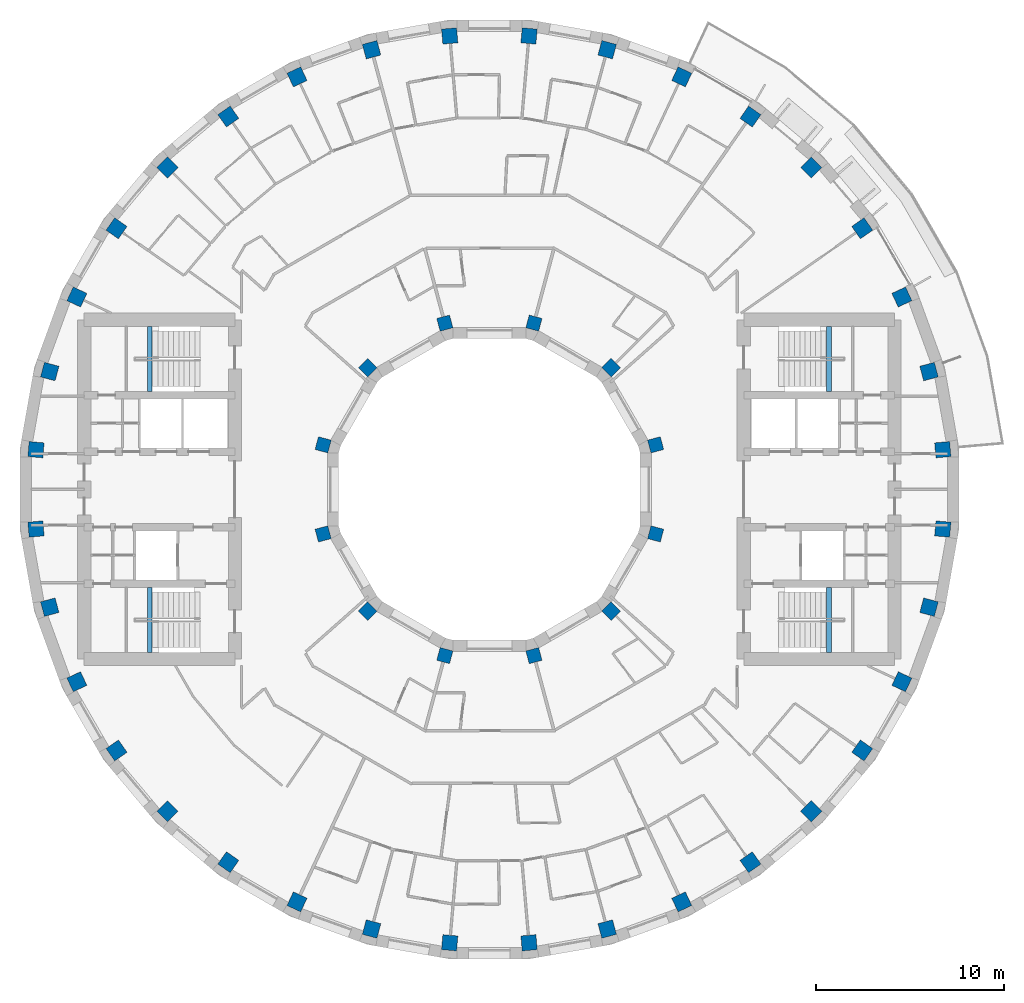
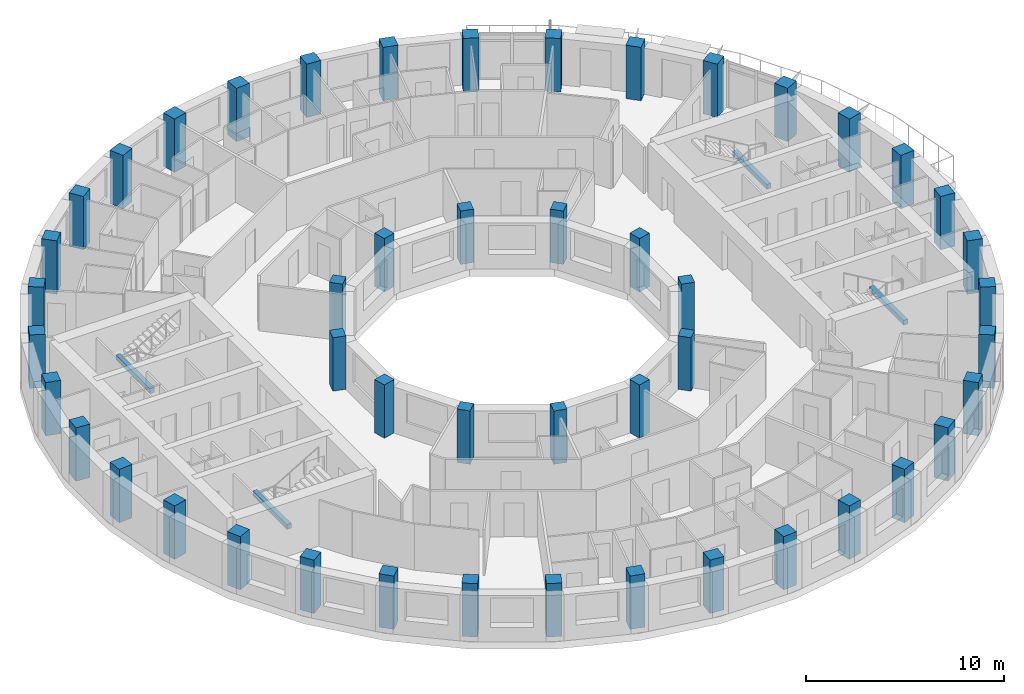
# One storey, part 1 of 15: 48 columns, 4 beams.
"""IFC4 building model written with IfcOpenShell, lengths in metres."""

from ifc_helpers import new_model, si_unit, direction, frame, origin, origin_2d, place, context, subcontext, project, spatial, rectangle, extrude, material, material_profile, profile_set, type_object, element, save


model = new_model("IFC4")

# Units and contexts
model_context = context("Model", 3, precision=1e-05, world=origin(), true_north=direction((0.0, 1.0)))
body_context = subcontext(model_context, "Body", "Model", "MODEL_VIEW")
ifc_project = project(units=[si_unit("LENGTHUNIT", "METRE"), si_unit("AREAUNIT", "SQUARE_METRE"), si_unit("VOLUMEUNIT", "CUBIC_METRE"), si_unit("PLANEANGLEUNIT", "RADIAN"), si_unit("MASSUNIT", "GRAM", prefix="KILO")], contexts=[model_context])

# Site, building, storey
site_placement = place(None, origin())
site = spatial("IfcSite", under=ifc_project, at=site_placement, CompositionType="ELEMENT")
building_placement = place(site_placement, origin())
building = spatial("IfcBuilding", under=site, at=building_placement, Name="Saqina Gate Tower", CompositionType="ELEMENT")
storey_placement = place(building_placement, frame((0.0, 0.0, 193.800048828125)))
storey = spatial("IfcBuildingStorey", under=building, at=storey_placement, Name="L55", CompositionType="ELEMENT", Elevation=193.800048828125)

# Columns
ifc_material_1 = material(Name="Concrete C60/75", Category="concrete")
ifc_material_profile_1 = material_profile(ifc_material_1, rectangle(XDim=0.699951171875, YDim=0.699951171875, at=origin_2d()), Name="RC 700x700")
ifc_profile_set_1 = profile_set([ifc_material_profile_1], Name="Concrete C60/75")
column_type_1 = type_object("IfcColumnType", Name="STR-COL-IN-C", PredefinedType="COLUMN", material=ifc_profile_set_1)
for number, where, z_axis, x_axis, name in (
    (1, (8.821044921875, 2.363525390625, 0.0), (0.0, 0.0, 1.0), (0.965925826289, 0.258819045103, 0.0), "L55-ICL01"),
    (2, (6.45751953125, 6.45751953125, 0.0), (0.0, 0.0, 1.0), (0.707106781187, 0.707106781187, 0.0), "L55-ICL02"),
    (3, (2.363525390625, 8.821044921875, 0.0), (0.0, 0.0, 1.0), (0.258819045103, 0.965925826289, 0.0), "L55-ICL03"),
    (4, (-2.363525390625, 8.821044921875, 0.0), (0.0, 0.0, 1.0), (-0.258819045103, 0.965925826289, 0.0), "L55-ICL04"),
    (5, (-6.45751953125, 6.45751953125, 0.0), (0.0, 0.0, 1.0), (-0.707106781187, 0.707106781187, 0.0), "L55-ICL05"),
    (6, (-8.821044921875, 2.363525390625, 0.0), (0.0, 0.0, 1.0), (-0.965925826289, 0.258819045103, 0.0), "L55-ICL06"),
    (7, (-8.821044921875, -2.363525390625, 0.0), (0.0, 0.0, 1.0), (-0.965925826289, -0.258819045103, 0.0), "L55-ICL07"),
    (8, (-6.45751953125, -6.45751953125, 0.0), (0.0, 0.0, 1.0), (-0.707106781187, -0.707106781187, 0.0), "L55-ICL08"),
    (9, (-2.363525390625, -8.821044921875, 0.0), (0.0, 0.0, 1.0), (-0.258819045103, -0.965925826289, 0.0), "L55-ICL09"),
    (10, (2.363525390625, -8.821044921875, 0.0), (0.0, 0.0, 1.0), (0.258819045103, -0.965925826289, 0.0), "L55-ICL10"),
    (11, (6.45751953125, -6.45751953125, 0.0), (0.0, 0.0, 1.0), (0.707106781187, -0.707106781187, 0.0), "L55-ICL11"),
    (12, (8.821044921875, -2.363525390625, 0.0), (0.0, 0.0, 1.0), (0.965925826289, -0.258819045103, 0.0), "L55-ICL12"),
):
    element("IfcColumn", number, at=place(storey_placement, frame(where, z_axis=z_axis, x_axis=x_axis)), inside=storey, type_object=column_type_1, Name=name, PredefinedType="COLUMN", context=body_context, shape_type="SweptSolid", body=[
        extrude(rectangle(XDim=0.699951171875, YDim=0.699951171875, at=origin_2d()), origin(), (0.0, 0.0, 1.0), 3.300048828125),
    ])
ifc_material_2 = material(Name="Concrete C60/75", Category="concrete")
ifc_material_profile_2 = material_profile(ifc_material_2, rectangle(XDim=0.800048828125, YDim=0.800048828125, at=origin_2d()), Name="RC 800x800")
ifc_profile_set_2 = profile_set([ifc_material_profile_2], Name="Concrete C60/75")
column_type_2 = type_object("IfcColumnType", Name="STR-COL-OUT-C", PredefinedType="COLUMN", material=ifc_profile_set_2)
for number, where, z_axis, x_axis, name in (
    (13, (24.05810546875, 2.104736328125, 0.0), (0.0, 0.0, 1.0), (0.996194698092, 0.087155742748, 0.0), "L55-COL01"),
    (14, (23.3271484375, 6.25048828125, 0.0), (0.0, 0.0, 1.0), (0.965925826289, 0.258819045103, 0.0), "L55-COL02"),
    (15, (21.887451171875, 10.206298828125, 0.0), (0.0, 0.0, 1.0), (0.906307787037, 0.422618261741, 0.0), "L55-COL03"),
    (16, (19.782470703125, 13.851806640625, 0.0), (0.0, 0.0, 1.0), (0.819152044289, 0.573576436351, 0.0), "L55-COL04"),
    (17, (17.07666015625, 17.07666015625, 0.0), (0.0, 0.0, 1.0), (0.707106781187, 0.707106781187, 0.0), "L55-COL05"),
    (18, (13.851806640625, 19.782470703125, 0.0), (0.0, 0.0, 1.0), (0.573576436351, 0.819152044289, 0.0), "L55-COL06"),
    (19, (10.206298828125, 21.887451171875, 0.0), (0.0, 0.0, 1.0), (0.422618261741, 0.906307787037, 0.0), "L55-COL07"),
    (20, (6.25048828125, 23.3271484375, 0.0), (0.0, 0.0, 1.0), (0.258819045103, 0.965925826289, 0.0), "L55-COL08"),
    (21, (2.104736328125, 24.05810546875, 0.0), (0.0, 0.0, 1.0), (0.087155742748, 0.996194698092, 0.0), "L55-COL09"),
    (22, (-2.104736328125, 24.05810546875, 0.0), (0.0, 0.0, 1.0), (-0.087155742748, 0.996194698092, 0.0), "L55-COL10"),
    (23, (-6.25048828125, 23.3271484375, 0.0), (0.0, 0.0, 1.0), (-0.258819045103, 0.965925826289, 0.0), "L55-COL11"),
    (24, (-10.206298828125, 21.887451171875, 0.0), (0.0, 0.0, 1.0), (-0.422618261741, 0.906307787037, 0.0), "L55-COL12"),
    (25, (-13.851806640625, 19.782470703125, 0.0), (0.0, 0.0, 1.0), (-0.573576436351, 0.819152044289, 0.0), "L55-COL13"),
    (26, (-17.07666015625, 17.07666015625, 0.0), (0.0, 0.0, 1.0), (-0.707106781187, 0.707106781187, 0.0), "L55-COL14"),
    (27, (-19.782470703125, 13.851806640625, 0.0), (0.0, 0.0, 1.0), (-0.819152044289, 0.573576436351, 0.0), "L55-COL15"),
    (28, (-21.887451171875, 10.206298828125, 0.0), (0.0, 0.0, 1.0), (-0.906307787037, 0.422618261741, 0.0), "L55-COL16"),
    (29, (-23.3271484375, 6.25048828125, 0.0), (0.0, 0.0, 1.0), (-0.965925826289, 0.258819045103, 0.0), "L55-COL17"),
    (30, (-24.05810546875, 2.104736328125, 0.0), (0.0, 0.0, 1.0), (-0.996194698092, 0.087155742748, 0.0), "L55-COL18"),
    (31, (-24.05810546875, -2.104736328125, 0.0), (0.0, 0.0, 1.0), (-0.996194698092, -0.087155742748, 0.0), "L55-COL19"),
    (32, (-23.3271484375, -6.25048828125, 0.0), (0.0, 0.0, 1.0), (-0.965925826289, -0.258819045103, 0.0), "L55-COL20"),
    (33, (-21.887451171875, -10.206298828125, 0.0), (0.0, 0.0, 1.0), (-0.906307787037, -0.422618261741, 0.0), "L55-COL21"),
    (34, (-19.782470703125, -13.851806640625, 0.0), (0.0, 0.0, 1.0), (-0.819152044289, -0.573576436351, 0.0), "L55-COL22"),
    (35, (-17.07666015625, -17.07666015625, 0.0), (0.0, 0.0, 1.0), (-0.707106781187, -0.707106781187, 0.0), "L55-COL23"),
    (36, (-13.851806640625, -19.782470703125, 0.0), (0.0, 0.0, 1.0), (-0.573576436351, -0.819152044289, 0.0), "L55-COL24"),
    (37, (-10.206298828125, -21.887451171875, 0.0), (0.0, 0.0, 1.0), (-0.422618261741, -0.906307787037, 0.0), "L55-COL25"),
    (38, (-6.25048828125, -23.3271484375, 0.0), (0.0, 0.0, 1.0), (-0.258819045103, -0.965925826289, 0.0), "L55-COL26"),
    (39, (-2.104736328125, -24.05810546875, 0.0), (0.0, 0.0, 1.0), (-0.087155742748, -0.996194698092, 0.0), "L55-COL27"),
    (40, (2.104736328125, -24.05810546875, 0.0), (0.0, 0.0, 1.0), (0.087155742748, -0.996194698092, 0.0), "L55-COL28"),
    (41, (6.25048828125, -23.3271484375, 0.0), (0.0, 0.0, 1.0), (0.258819045103, -0.965925826289, 0.0), "L55-COL29"),
    (42, (10.206298828125, -21.887451171875, 0.0), (0.0, 0.0, 1.0), (0.422618261741, -0.906307787037, 0.0), "L55-COL30"),
    (43, (13.851806640625, -19.782470703125, 0.0), (0.0, 0.0, 1.0), (0.573576436351, -0.819152044289, 0.0), "L55-COL31"),
    (44, (17.07666015625, -17.07666015625, 0.0), (0.0, 0.0, 1.0), (0.707106781187, -0.707106781187, 0.0), "L55-COL32"),
    (45, (19.782470703125, -13.851806640625, 0.0), (0.0, 0.0, 1.0), (0.819152044289, -0.573576436351, 0.0), "L55-COL33"),
    (46, (21.887451171875, -10.206298828125, 0.0), (0.0, 0.0, 1.0), (0.906307787037, -0.422618261741, 0.0), "L55-COL34"),
    (47, (23.3271484375, -6.25048828125, 0.0), (0.0, 0.0, 1.0), (0.965925826289, -0.258819045103, 0.0), "L55-COL35"),
    (48, (24.05810546875, -2.104736328125, 0.0), (0.0, 0.0, 1.0), (0.996194698092, -0.087155742748, 0.0), "L55-COL36"),
):
    element("IfcColumn", number, at=place(storey_placement, frame(where, z_axis=z_axis, x_axis=x_axis)), inside=storey, type_object=column_type_2, Name=name, PredefinedType="COLUMN", context=body_context, shape_type="SweptSolid", body=[
        extrude(rectangle(XDim=0.800048828125, YDim=0.800048828125, at=origin_2d()), origin(), (0.0, 0.0, 1.0), 3.300048828125),
    ])

# Beams
ifc_material_3 = material(Name="Concrete C40/50", Category="concrete")
ifc_material_profile_3 = material_profile(ifc_material_3, rectangle(XDim=0.25, YDim=0.300048828125, at=origin_2d()), Name="STAIR LANDING BEAM")
ifc_profile_set_3 = profile_set([ifc_material_profile_3], Name="Concrete C40/50")
beam_type = type_object("IfcBeamType", Name="STAIR LANDING BEAM", PredefinedType="BEAM", material=ifc_profile_set_3)
for number, where, z_axis, x_axis, name in (
    (49, (18.02001953125, 5.199951171875, 1.25), (0.0, 1.0, 0.0), (-1.0, 0.0, 0.0), "EXIT STAIR 1 LANDING BEAM"),
    (50, (18.02001953125, -8.64990234375, 1.25), (0.0, 1.0, 0.0), (-1.0, 0.0, 0.0), "EXIT STAIR 2 LANDING BEAM"),
    (51, (-18.02001953125, 5.199951171875, 1.25), (0.0, 1.0, 0.0), (-1.0, 0.0, 0.0), "EXIT STAIR 3 LANDING BEAM"),
    (52, (-18.02001953125, -8.64990234375, 1.25), (0.0, 1.0, 0.0), (-1.0, 0.0, 0.0), "EXIT STAIR 4 LANDING BEAM"),
):
    element("IfcBeam", number, at=place(storey_placement, frame(where, z_axis=z_axis, x_axis=x_axis)), inside=storey, type_object=beam_type, Name=name, PredefinedType="BEAM", context=body_context, shape_type="SweptSolid", body=[
        extrude(rectangle(XDim=0.25, YDim=0.300048828125, at=origin_2d()), origin(), (0.0, 0.0, 1.0), 3.449951171875),
    ])

save(model, "model.ifc")
